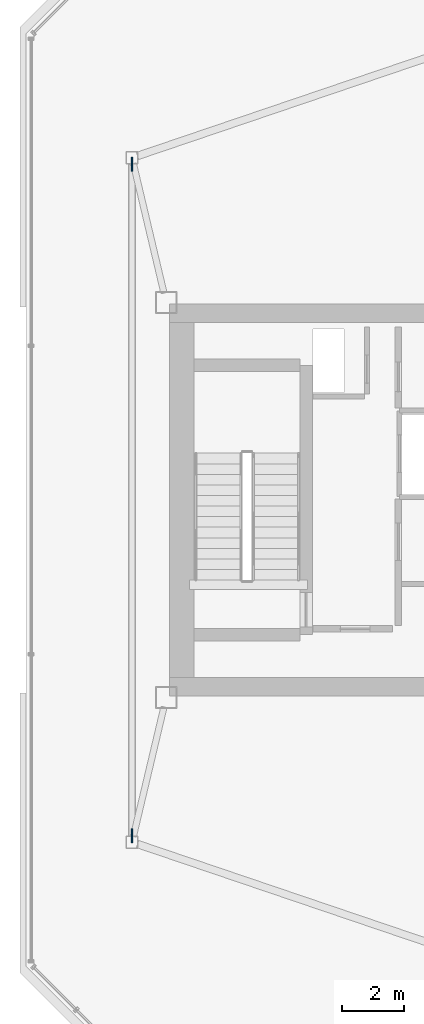
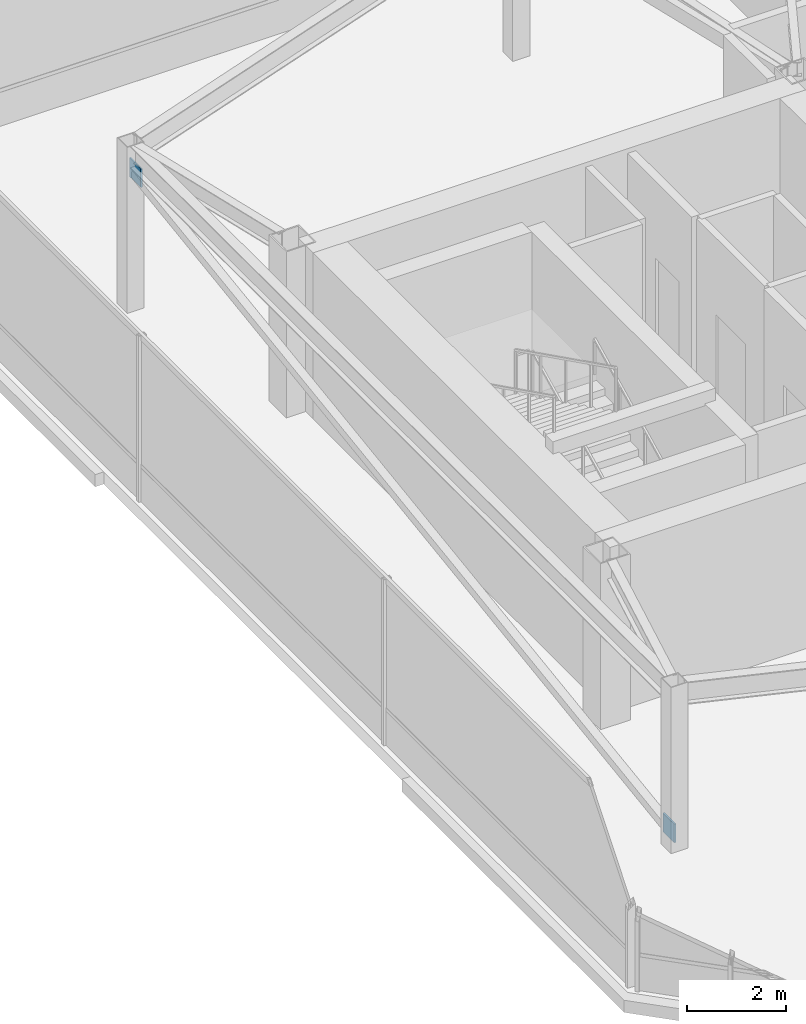
# One storey, part 19 of 21: 2 discrete accessories.
"""IFC4 building model written with IfcOpenShell, lengths in metres."""

from ifc_helpers import new_model, si_unit, direction, frame, origin, origin_2d, place, context, subcontext, project, spatial, rectangle, extrude, material, type_object, element, save


model = new_model("IFC4")

# Units and contexts
model_context = context("Model", 3, precision=1e-05, world=origin(), true_north=direction((0.0, 1.0)))
body_context = subcontext(model_context, "Body", "Model", "MODEL_VIEW")
ifc_project = project(units=[si_unit("LENGTHUNIT", "METRE"), si_unit("AREAUNIT", "SQUARE_METRE"), si_unit("VOLUMEUNIT", "CUBIC_METRE"), si_unit("PLANEANGLEUNIT", "RADIAN"), si_unit("MASSUNIT", "GRAM", prefix="KILO")], contexts=[model_context])

# Site, building, storey
site_placement = place(None, origin())
site = spatial("IfcSite", under=ifc_project, at=site_placement, CompositionType="ELEMENT")
building_placement = place(site_placement, origin())
building = spatial("IfcBuilding", under=site, at=building_placement, Name="Tavrogorsk Clinical Tower", CompositionType="ELEMENT")
storey_placement = place(building_placement, frame((0.0, 0.0, 344.199951171875)))
storey = spatial("IfcBuildingStorey", under=building, at=storey_placement, Name="L80", CompositionType="ELEMENT", Elevation=344.199951171875)

# Discrete accessories
ifc_material = material(Name="Structural steel S440", Category="steel")
discrete_accessory_type = type_object("IfcDiscreteAccessoryType", Name="GussetPlateBracket_25", PredefinedType="BRACKET", material=ifc_material)
for number, where, z_axis, x_axis, name in (
    (1, (-23.199951171875, -10.792236328125, 0.099853515625), (0.0, 0.0, 1.0), (0.0, 1.0, 0.0), "L80 Brace Gusset Plate CRNBR-L80-1-A"),
    (2, (-23.199951171875, 10.792236328125, 3.1904296875), (0.0, 0.0, 1.0), (0.0, 1.0, 0.0), "L80 Brace Gusset Plate CRNBR-L80-1-B"),
):
    element("IfcDiscreteAccessory", number, at=place(storey_placement, frame(where, z_axis=z_axis, x_axis=x_axis)), inside=storey, type_object=discrete_accessory_type, Name=name, PredefinedType="BRACKET", context=body_context, shape_type="SweptSolid", body=[
        extrude(rectangle(XDim=0.4599609375, YDim=0.0400390625, at=origin_2d()), origin(), (0.0, 0.0, 1.0), 0.4599609375),
    ])

save(model, "model.ifc")
